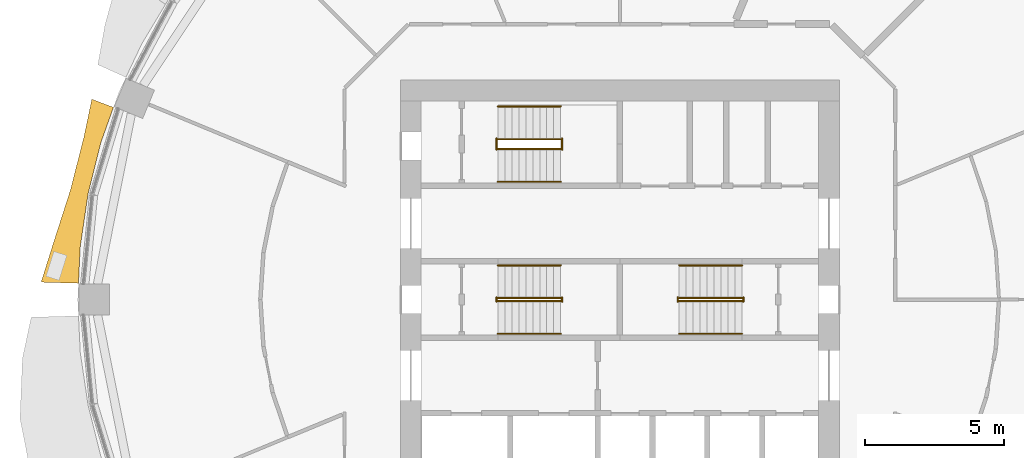
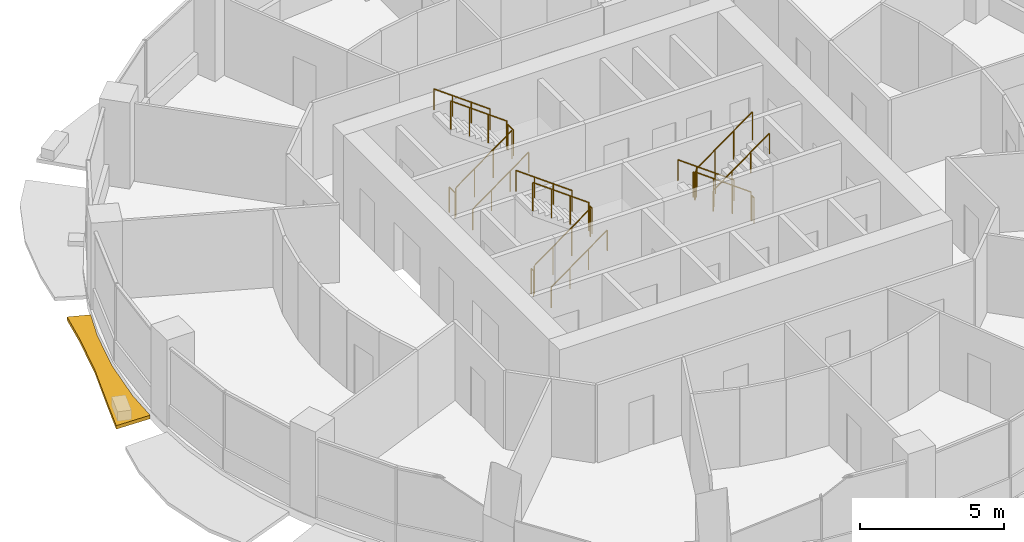
# One storey, part 13 of 15: 18 railings, 1 shading device.
"""IFC4 building model written with IfcOpenShell, lengths in metres."""

from ifc_helpers import new_model, si_unit, direction, frame, origin, origin_2d, place, context, subcontext, project, spatial, polyline, circle, outline, extrude, material, type_object, element, save


model = new_model("IFC4")

# Units and contexts
model_context = context("Model", 3, precision=1e-05, world=origin(), true_north=direction((0.0, 1.0)))
body_context = subcontext(model_context, "Body", "Model", "MODEL_VIEW")
ifc_project = project(units=[si_unit("LENGTHUNIT", "METRE"), si_unit("AREAUNIT", "SQUARE_METRE"), si_unit("VOLUMEUNIT", "CUBIC_METRE"), si_unit("PLANEANGLEUNIT", "RADIAN"), si_unit("MASSUNIT", "GRAM", prefix="KILO")], contexts=[model_context])

# Site, building, storey
site_placement = place(None, origin())
site = spatial("IfcSite", under=ifc_project, at=site_placement, CompositionType="ELEMENT")
building_placement = place(site_placement, origin())
building = spatial("IfcBuilding", under=site, at=building_placement, Name="Polderwave Tower", CompositionType="ELEMENT")
storey_placement = place(building_placement, frame((0.0, 0.0, 72.75)))
storey = spatial("IfcBuildingStorey", under=building, at=storey_placement, Name="L18", CompositionType="ELEMENT", Elevation=72.75)

# Railings
ifc_material_1 = material(Name="Stainless steel", Category="steel")
railing_type_1 = type_object("IfcRailingType", Name="Stair guard 1100", PredefinedType="GUARDRAIL", material=ifc_material_1)
railing_1_placement = place(storey_placement, frame((-4.3740234375, -0.051025390625, 0.0625)))
element("IfcRailing", 1, at=railing_1_placement, inside=storey, type_object=railing_type_1, Name="L18 ST-A stair guard 1", PredefinedType="GUARDRAIL", context=body_context, shape_type="SweptSolid", body=[
    extrude(circle(Radius=0.02392578125, at=origin_2d()), frame((0.0, 0.0, 1.1962890625), z_axis=(0.807715371301, 0.0, 0.589572623995), x_axis=(0.0, 1.0, 0.0)), (0.0, 0.0, 1.0), 2.78564453125),
    extrude(circle(Radius=0.02392578125, at=origin_2d()), origin(), (0.0, 0.0, 1.0), 1.172119140625),
    extrude(circle(Radius=0.02392578125, at=origin_2d()), frame((0.75, 0.0, 0.54736328125)), (0.0, 0.0, 1.0), 1.172119140625),
    extrude(circle(Radius=0.02392578125, at=origin_2d()), frame((1.5, 0.0, 1.094970703125)), (0.0, 0.0, 1.0), 1.172119140625),
    extrude(circle(Radius=0.02392578125, at=origin_2d()), frame((2.25, 0.0, 1.642333984375)), (0.0, 0.0, 1.0), 1.172119140625),
])
railing_2_placement = place(storey_placement, frame((-2.073974609375, -0.074951171875, 1.824951171875)))
element("IfcRailing", 2, at=railing_2_placement, inside=storey, type_object=railing_type_1, Name="L18 ST-A stair guard 2", PredefinedType="GUARDRAIL", context=body_context, shape_type="SweptSolid", body=[
    extrude(circle(Radius=0.02392578125, at=origin_2d()), frame((0.0, 0.0, 1.076171875), z_axis=(0.0, 1.0, 0.0), x_axis=(-1.0, 0.0, 0.0)), (0.0, 0.0, 1.0), 0.14990234375),
    extrude(circle(Radius=0.02099609375, at=origin_2d()), origin(), (0.0, 0.0, 1.0), 1.052001953125),
    extrude(circle(Radius=0.02099609375, at=origin_2d()), frame((0.0, 0.14990234375, 0.0)), (0.0, 0.0, 1.0), 1.052001953125),
])
railing_3_placement = place(storey_placement, frame((-2.1240234375, 0.051025390625, 1.887451171875)))
element("IfcRailing", 3, at=railing_3_placement, inside=storey, type_object=railing_type_1, Name="L18 ST-A stair guard 3", PredefinedType="GUARDRAIL", context=body_context, shape_type="SweptSolid", body=[
    extrude(circle(Radius=0.02392578125, at=origin_2d()), frame((0.0, 0.0, 1.1962890625), z_axis=(-0.807715371301, 0.0, 0.589572623995), x_axis=(0.0, -1.0, 0.0)), (0.0, 0.0, 1.0), 2.78564453125),
    extrude(circle(Radius=0.02392578125, at=origin_2d()), origin(), (0.0, 0.0, 1.0), 1.172119140625),
    extrude(circle(Radius=0.02392578125, at=origin_2d()), frame((-0.75, 0.0, 0.54736328125)), (0.0, 0.0, 1.0), 1.172119140625),
    extrude(circle(Radius=0.02392578125, at=origin_2d()), frame((-1.5, 0.0, 1.094970703125)), (0.0, 0.0, 1.0), 1.172119140625),
    extrude(circle(Radius=0.02392578125, at=origin_2d()), frame((-2.25, 0.0, 1.642333984375)), (0.0, 0.0, 1.0), 1.172119140625),
])
railing_4_placement = place(storey_placement, frame((-4.424072265625, -0.074951171875, 0.0)))
element("IfcRailing", 4, at=railing_4_placement, inside=storey, type_object=railing_type_1, Name="L18 ST-A stair guard 4", PredefinedType="GUARDRAIL", context=body_context, shape_type="SweptSolid", body=[
    extrude(circle(Radius=0.02392578125, at=origin_2d()), frame((0.0, 0.0, 1.076171875), z_axis=(0.0, 1.0, 0.0), x_axis=(-1.0, 0.0, 0.0)), (0.0, 0.0, 1.0), 0.14990234375),
    extrude(circle(Radius=0.02099609375, at=origin_2d()), origin(), (0.0, 0.0, 1.0), 1.052001953125),
    extrude(circle(Radius=0.02099609375, at=origin_2d()), frame((0.0, 0.14990234375, 0.0)), (0.0, 0.0, 1.0), 1.052001953125),
])
railing_5_placement = place(storey_placement, frame((4.3740234375, 0.051025390625, 0.0625)))
element("IfcRailing", 5, at=railing_5_placement, inside=storey, type_object=railing_type_1, Name="L18 ST-B stair guard 1", PredefinedType="GUARDRAIL", context=body_context, shape_type="SweptSolid", body=[
    extrude(circle(Radius=0.02392578125, at=origin_2d()), frame((0.0, 0.0, 1.1962890625), z_axis=(-0.807715371301, 0.0, 0.589572623995), x_axis=(0.0, -1.0, 0.0)), (0.0, 0.0, 1.0), 2.78564453125),
    extrude(circle(Radius=0.02392578125, at=origin_2d()), origin(), (0.0, 0.0, 1.0), 1.172119140625),
    extrude(circle(Radius=0.02392578125, at=origin_2d()), frame((-0.75, 0.0, 0.54736328125)), (0.0, 0.0, 1.0), 1.172119140625),
    extrude(circle(Radius=0.02392578125, at=origin_2d()), frame((-1.5, 0.0, 1.094970703125)), (0.0, 0.0, 1.0), 1.172119140625),
    extrude(circle(Radius=0.02392578125, at=origin_2d()), frame((-2.25, 0.0, 1.642333984375)), (0.0, 0.0, 1.0), 1.172119140625),
])
railing_6_placement = place(storey_placement, frame((2.073974609375, 0.074951171875, 1.824951171875)))
element("IfcRailing", 6, at=railing_6_placement, inside=storey, type_object=railing_type_1, Name="L18 ST-B stair guard 2", PredefinedType="GUARDRAIL", context=body_context, shape_type="SweptSolid", body=[
    extrude(circle(Radius=0.02392578125, at=origin_2d()), frame((0.0, 0.0, 1.076171875), z_axis=(0.0, -1.0, 0.0), x_axis=(1.0, 0.0, 0.0)), (0.0, 0.0, 1.0), 0.14990234375),
    extrude(circle(Radius=0.02099609375, at=origin_2d()), origin(), (0.0, 0.0, 1.0), 1.052001953125),
    extrude(circle(Radius=0.02099609375, at=origin_2d()), frame((0.0, -0.14990234375, 0.0)), (0.0, 0.0, 1.0), 1.052001953125),
])
railing_7_placement = place(storey_placement, frame((2.1240234375, -0.051025390625, 1.887451171875)))
element("IfcRailing", 7, at=railing_7_placement, inside=storey, type_object=railing_type_1, Name="L18 ST-B stair guard 3", PredefinedType="GUARDRAIL", context=body_context, shape_type="SweptSolid", body=[
    extrude(circle(Radius=0.02392578125, at=origin_2d()), frame((0.0, 0.0, 1.1962890625), z_axis=(0.807715371301, 0.0, 0.589572623995), x_axis=(0.0, 1.0, 0.0)), (0.0, 0.0, 1.0), 2.78564453125),
    extrude(circle(Radius=0.02392578125, at=origin_2d()), origin(), (0.0, 0.0, 1.0), 1.172119140625),
    extrude(circle(Radius=0.02392578125, at=origin_2d()), frame((0.75, 0.0, 0.54736328125)), (0.0, 0.0, 1.0), 1.172119140625),
    extrude(circle(Radius=0.02392578125, at=origin_2d()), frame((1.5, 0.0, 1.094970703125)), (0.0, 0.0, 1.0), 1.172119140625),
    extrude(circle(Radius=0.02392578125, at=origin_2d()), frame((2.25, 0.0, 1.642333984375)), (0.0, 0.0, 1.0), 1.172119140625),
])
railing_8_placement = place(storey_placement, frame((4.424072265625, 0.074951171875, 0.0)))
element("IfcRailing", 8, at=railing_8_placement, inside=storey, type_object=railing_type_1, Name="L18 ST-B stair guard 4", PredefinedType="GUARDRAIL", context=body_context, shape_type="SweptSolid", body=[
    extrude(circle(Radius=0.02392578125, at=origin_2d()), frame((0.0, 0.0, 1.076171875), z_axis=(0.0, -1.0, 0.0), x_axis=(1.0, 0.0, 0.0)), (0.0, 0.0, 1.0), 0.14990234375),
    extrude(circle(Radius=0.02099609375, at=origin_2d()), origin(), (0.0, 0.0, 1.0), 1.052001953125),
    extrude(circle(Radius=0.02099609375, at=origin_2d()), frame((0.0, -0.14990234375, 0.0)), (0.0, 0.0, 1.0), 1.052001953125),
])
railing_9_placement = place(storey_placement, frame((-4.3740234375, 5.39794921875, 0.0625)))
element("IfcRailing", 9, at=railing_9_placement, inside=storey, type_object=railing_type_1, Name="L18 ST-C stair guard 1", PredefinedType="GUARDRAIL", context=body_context, shape_type="SweptSolid", body=[
    extrude(circle(Radius=0.02392578125, at=origin_2d()), frame((0.0, 0.0, 1.1962890625), z_axis=(0.807715371301, 0.0, 0.589572623995), x_axis=(0.0, 1.0, 0.0)), (0.0, 0.0, 1.0), 2.78564453125),
    extrude(circle(Radius=0.02392578125, at=origin_2d()), origin(), (0.0, 0.0, 1.0), 1.172119140625),
    extrude(circle(Radius=0.02392578125, at=origin_2d()), frame((0.75, 0.0, 0.54736328125)), (0.0, 0.0, 1.0), 1.172119140625),
    extrude(circle(Radius=0.02392578125, at=origin_2d()), frame((1.5, 0.0, 1.094970703125)), (0.0, 0.0, 1.0), 1.172119140625),
    extrude(circle(Radius=0.02392578125, at=origin_2d()), frame((2.25, 0.0, 1.642333984375)), (0.0, 0.0, 1.0), 1.172119140625),
])
railing_10_placement = place(storey_placement, frame((-2.073974609375, 5.3740234375, 1.824951171875)))
element("IfcRailing", 10, at=railing_10_placement, inside=storey, type_object=railing_type_1, Name="L18 ST-C stair guard 2", PredefinedType="GUARDRAIL", context=body_context, shape_type="SweptSolid", body=[
    extrude(circle(Radius=0.02392578125, at=origin_2d()), frame((0.0, 0.0, 1.076171875), z_axis=(0.0, 1.0, 0.0), x_axis=(-1.0, 0.0, 0.0)), (0.0, 0.0, 1.0), 0.39990234375),
    extrude(circle(Radius=0.02099609375, at=origin_2d()), origin(), (0.0, 0.0, 1.0), 1.052001953125),
    extrude(circle(Radius=0.02099609375, at=origin_2d()), frame((0.0, 0.39990234375, 0.0)), (0.0, 0.0, 1.0), 1.052001953125),
])
railing_11_placement = place(storey_placement, frame((-2.1240234375, 5.75, 1.887451171875)))
element("IfcRailing", 11, at=railing_11_placement, inside=storey, type_object=railing_type_1, Name="L18 ST-C stair guard 3", PredefinedType="GUARDRAIL", context=body_context, shape_type="SweptSolid", body=[
    extrude(circle(Radius=0.02392578125, at=origin_2d()), frame((0.0, 0.0, 1.1962890625), z_axis=(-0.807715371301, 0.0, 0.589572623995), x_axis=(0.0, -1.0, 0.0)), (0.0, 0.0, 1.0), 2.78564453125),
    extrude(circle(Radius=0.02392578125, at=origin_2d()), origin(), (0.0, 0.0, 1.0), 1.172119140625),
    extrude(circle(Radius=0.02392578125, at=origin_2d()), frame((-0.75, 0.0, 0.54736328125)), (0.0, 0.0, 1.0), 1.172119140625),
    extrude(circle(Radius=0.02392578125, at=origin_2d()), frame((-1.5, 0.0, 1.094970703125)), (0.0, 0.0, 1.0), 1.172119140625),
    extrude(circle(Radius=0.02392578125, at=origin_2d()), frame((-2.25, 0.0, 1.642333984375)), (0.0, 0.0, 1.0), 1.172119140625),
])
railing_12_placement = place(storey_placement, frame((-4.424072265625, 5.3740234375, 0.0)))
element("IfcRailing", 12, at=railing_12_placement, inside=storey, type_object=railing_type_1, Name="L18 ST-C stair guard 4", PredefinedType="GUARDRAIL", context=body_context, shape_type="SweptSolid", body=[
    extrude(circle(Radius=0.02392578125, at=origin_2d()), frame((0.0, 0.0, 1.076171875), z_axis=(0.0, 1.0, 0.0), x_axis=(-1.0, 0.0, 0.0)), (0.0, 0.0, 1.0), 0.39990234375),
    extrude(circle(Radius=0.02099609375, at=origin_2d()), origin(), (0.0, 0.0, 1.0), 1.052001953125),
    extrude(circle(Radius=0.02099609375, at=origin_2d()), frame((0.0, 0.39990234375, 0.0)), (0.0, 0.0, 1.0), 1.052001953125),
])
railing_type_2 = type_object("IfcRailingType", Name="Stair handrail 900", PredefinedType="HANDRAIL", material=ifc_material_1)
railing_13_placement = place(storey_placement, frame((-4.3740234375, -1.22509765625, 0.1826171875)))
element("IfcRailing", 13, at=railing_13_placement, inside=storey, type_object=railing_type_2, Name="L18 ST-A stair handrail 1", PredefinedType="HANDRAIL", context=body_context, shape_type="SweptSolid", body=[
    extrude(circle(Radius=0.02392578125, at=origin_2d()), frame((0.0, 0.0, 0.8759765625), z_axis=(0.807715371301, 0.0, 0.589572623995), x_axis=(0.0, 1.0, 0.0)), (0.0, 0.0, 1.0), 2.78564453125),
    extrude(circle(Radius=0.02099609375, at=origin_2d()), origin(), (0.0, 0.0, 1.0), 0.851806640625),
    extrude(circle(Radius=0.02099609375, at=origin_2d()), frame((0.75, 0.0, 0.54736328125)), (0.0, 0.0, 1.0), 0.851806640625),
    extrude(circle(Radius=0.02099609375, at=origin_2d()), frame((1.5, 0.0, 1.094970703125)), (0.0, 0.0, 1.0), 0.851806640625),
    extrude(circle(Radius=0.02099609375, at=origin_2d()), frame((2.25, 0.0, 1.642333984375)), (0.0, 0.0, 1.0), 0.851806640625),
])
for number, where, name in (
    (14, (-2.1240234375, 1.22509765625, 2.007568359375), "L18 ST-A stair handrail 2"),
    (15, (4.3740234375, 1.22509765625, 0.1826171875), "L18 ST-B stair handrail 1"),
):
    element("IfcRailing", number, at=place(storey_placement, frame(where)), inside=storey, type_object=railing_type_2, Name=name, PredefinedType="HANDRAIL", context=body_context, shape_type="SweptSolid", body=[
        extrude(circle(Radius=0.02392578125, at=origin_2d()), frame((0.0, 0.0, 0.8759765625), z_axis=(-0.807715371301, 0.0, 0.589572623995), x_axis=(0.0, -1.0, 0.0)), (0.0, 0.0, 1.0), 2.78564453125),
        extrude(circle(Radius=0.02099609375, at=origin_2d()), origin(), (0.0, 0.0, 1.0), 0.851806640625),
        extrude(circle(Radius=0.02099609375, at=origin_2d()), frame((-0.75, 0.0, 0.54736328125)), (0.0, 0.0, 1.0), 0.851806640625),
        extrude(circle(Radius=0.02099609375, at=origin_2d()), frame((-1.5, 0.0, 1.094970703125)), (0.0, 0.0, 1.0), 0.851806640625),
        extrude(circle(Radius=0.02099609375, at=origin_2d()), frame((-2.25, 0.0, 1.642333984375)), (0.0, 0.0, 1.0), 0.851806640625),
    ])
for number, where, name in (
    (16, (2.1240234375, -1.22509765625, 2.007568359375), "L18 ST-B stair handrail 2"),
    (17, (-4.3740234375, 4.22412109375, 0.1826171875), "L18 ST-C stair handrail 1"),
):
    element("IfcRailing", number, at=place(storey_placement, frame(where)), inside=storey, type_object=railing_type_2, Name=name, PredefinedType="HANDRAIL", context=body_context, shape_type="SweptSolid", body=[
        extrude(circle(Radius=0.02392578125, at=origin_2d()), frame((0.0, 0.0, 0.8759765625), z_axis=(0.807715371301, 0.0, 0.589572623995), x_axis=(0.0, 1.0, 0.0)), (0.0, 0.0, 1.0), 2.78564453125),
        extrude(circle(Radius=0.02099609375, at=origin_2d()), origin(), (0.0, 0.0, 1.0), 0.851806640625),
        extrude(circle(Radius=0.02099609375, at=origin_2d()), frame((0.75, 0.0, 0.54736328125)), (0.0, 0.0, 1.0), 0.851806640625),
        extrude(circle(Radius=0.02099609375, at=origin_2d()), frame((1.5, 0.0, 1.094970703125)), (0.0, 0.0, 1.0), 0.851806640625),
        extrude(circle(Radius=0.02099609375, at=origin_2d()), frame((2.25, 0.0, 1.642333984375)), (0.0, 0.0, 1.0), 0.851806640625),
    ])
railing_14_placement = place(storey_placement, frame((-2.1240234375, 6.924072265625, 2.007568359375)))
element("IfcRailing", 18, at=railing_14_placement, inside=storey, type_object=railing_type_2, Name="L18 ST-C stair handrail 2", PredefinedType="HANDRAIL", context=body_context, shape_type="SweptSolid", body=[
    extrude(circle(Radius=0.02392578125, at=origin_2d()), frame((0.0, 0.0, 0.8759765625), z_axis=(-0.807715371301, 0.0, 0.589572623995), x_axis=(0.0, -1.0, 0.0)), (0.0, 0.0, 1.0), 2.78564453125),
    extrude(circle(Radius=0.02099609375, at=origin_2d()), origin(), (0.0, 0.0, 1.0), 0.851806640625),
    extrude(circle(Radius=0.02099609375, at=origin_2d()), frame((-0.75, 0.0, 0.54736328125)), (0.0, 0.0, 1.0), 0.851806640625),
    extrude(circle(Radius=0.02099609375, at=origin_2d()), frame((-1.5, 0.0, 1.094970703125)), (0.0, 0.0, 1.0), 0.851806640625),
    extrude(circle(Radius=0.02099609375, at=origin_2d()), frame((-2.25, 0.0, 1.642333984375)), (0.0, 0.0, 1.0), 0.851806640625),
])

# Shading device
ifc_material_2 = material(Name="Terracotta", Category="masonry")
shading_device_type = type_object("IfcShadingDeviceType", Name="Terracotta sunshade band", PredefinedType="USERDEFINED", material=ifc_material_2)
shading_device_placement = place(storey_placement, frame((0.0, 0.0, -0.35009765625)))
element("IfcShadingDevice", 19, at=shading_device_placement, inside=storey, type_object=shading_device_type, Name="Sunshade band L18 8", ObjectType="SUNSHADE", PredefinedType="USERDEFINED", context=body_context, shape_type="SweptSolid", body=[
    extrude(outline(polyline([(-18.156982421875, 6.88916015625), (-18.602783203125, 5.64306640625), (-19.06640625, 3.79248046875), (-19.346435546875, 1.905517578125), (-19.411376953125, 0.583740234375), (-20.7490234375, 0.623779296875), (-20.318115234375, 2.001220703125), (-19.701171875, 3.918701171875), (-19.214599609375, 5.82861328125), (-18.931640625, 7.18310546875), (-18.156982421875, 6.88916015625)])), origin(), (0.0, 0.0, 1.0), 0.150146484375),
])

save(model, "model.ifc")
